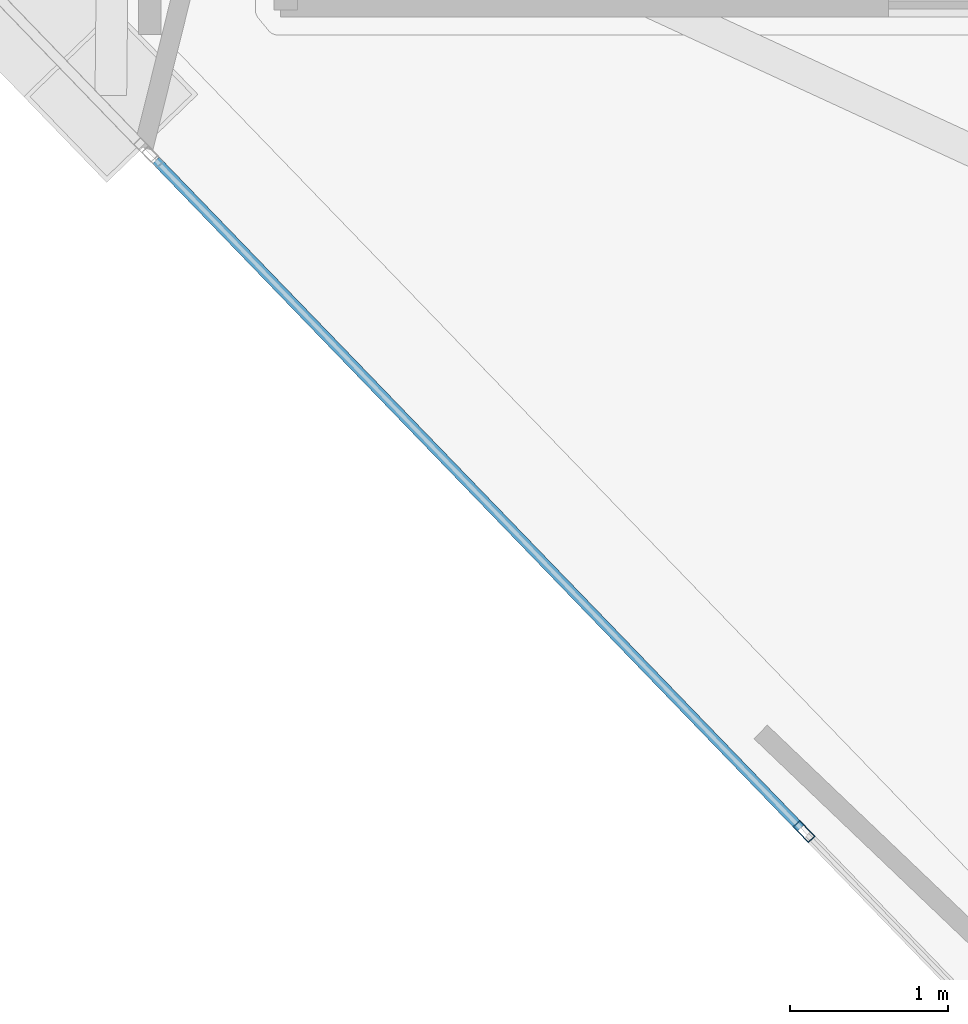
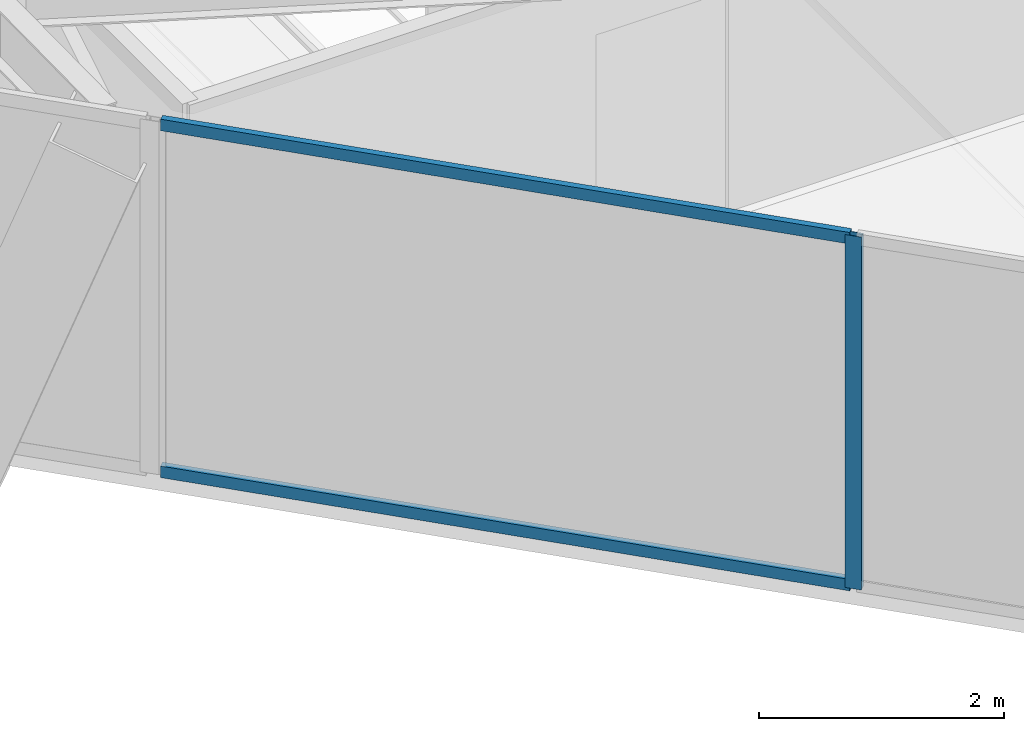
# One storey, part 2 of 18: 3 members, 1 element without a shape of its own.
"""IFC4 building model written with IfcOpenShell, lengths in metres."""

from ifc_helpers import new_model, si_unit, direction, frame, origin, origin_2d, place, context, subcontext, project, spatial, hollow_rectangle, extrude, material, layer, layer_set, material_profile, profile_set, type_object, element, aggregate, save


model = new_model("IFC4")

# Units and contexts
model_context = context("Model", 3, precision=1e-05, world=origin(), true_north=direction((0.0, 1.0)))
body_context = subcontext(model_context, "Body", "Model", "MODEL_VIEW")
ifc_project = project(units=[si_unit("LENGTHUNIT", "METRE"), si_unit("AREAUNIT", "SQUARE_METRE"), si_unit("VOLUMEUNIT", "CUBIC_METRE"), si_unit("PLANEANGLEUNIT", "RADIAN"), si_unit("MASSUNIT", "GRAM", prefix="KILO")], contexts=[model_context])

# Site, building, storey
site_placement = place(None, origin())
site = spatial("IfcSite", under=ifc_project, at=site_placement, CompositionType="ELEMENT")
building_placement = place(site_placement, origin())
building = spatial("IfcBuilding", under=site, at=building_placement, Name="Qianvela Tower", CompositionType="ELEMENT")
storey_placement = place(building_placement, frame((0.0, 0.0, 337.0)))
storey = spatial("IfcBuildingStorey", under=building, at=storey_placement, Name="L87", CompositionType="ELEMENT", Elevation=337.0)

# Curtain wall, members
ifc_material_1 = material(Name="Anodised Architectural Aluminium and Low-E Glass", Category="aluminium")
ifc_layer = layer(ifc_material_1, 0.14990234375)
ifc_layer_set = layer_set([ifc_layer], Name="Anodised Architectural Aluminium and Low-E Glass")
curtain_wall_type = type_object("IfcCurtainWallType", Name="CW-COLIV-Z78", PredefinedType="USERDEFINED", material=ifc_layer_set)
curtain_wall_placement = place(storey_placement, origin())
curtain_wall = element("IfcCurtainWall", 1, at=curtain_wall_placement, inside=storey, type_object=curtain_wall_type, Name="L87 CW-COLIV-Z78 Curtain Wall 04C", ObjectType="CURTAIN_WALL_SYSTEM", PredefinedType="USERDEFINED")
ifc_material_2 = material(Name="Anodised Architectural Aluminium 6063-T6", Category="aluminium")
ifc_material_profile_1 = material_profile(ifc_material_2, hollow_rectangle(XDim=0.06005859375, YDim=0.139892578125, WallThickness=0.00439453125, at=origin_2d()), Name="ALU-MULL-60x140")
ifc_profile_set_1 = profile_set([ifc_material_profile_1], Name="Anodised Architectural Aluminium 6063-T6")
member_type_1 = type_object("IfcMemberType", Name="CW-COLIV-Z78-MULL", PredefinedType="MULLION", material=ifc_profile_set_1)
member_1_placement = place(storey_placement, frame((33.502197265625, 10.865234375, 0.0), z_axis=(0.0, 0.0, 1.0), x_axis=(0.719340616701, 0.69465752509, 0.0)))
member_1 = element("IfcMember", 2, at=member_1_placement, type_object=member_type_1, Name="CW-6 mullion 2", PredefinedType="MULLION", context=body_context, shape_type="SweptSolid", body=[
    extrude(hollow_rectangle(XDim=0.06005859375, YDim=0.139892578125, WallThickness=0.00439453125, at=origin_2d()), origin(), (0.0, 0.0, 1.0), 3.52001953125),
])
ifc_material_3 = material(Name="Anodised Architectural Aluminium 6063-T6", Category="aluminium")
ifc_material_profile_2 = material_profile(ifc_material_3, hollow_rectangle(XDim=0.06005859375, YDim=0.114990234375, WallThickness=0.00390625, at=origin_2d()), Name="ALU-TRAN-60x115")
ifc_profile_set_2 = profile_set([ifc_material_profile_2], Name="Anodised Architectural Aluminium 6063-T6")
member_type_2 = type_object("IfcMemberType", Name="CW-COLIV-Z78-TRAN", PredefinedType="USERDEFINED", material=ifc_profile_set_2)
member_2_placement = place(storey_placement, frame((29.41259765625, 15.100341796875, 0.030029296875), z_axis=(0.694640629705, -0.719356931962, 0.0), x_axis=(0.719356931962, 0.694640629705, 0.0)))
member_2 = element("IfcMember", 3, at=member_2_placement, type_object=member_type_2, Name="CW-6 transom 1.1", ObjectType="TRANSOM", PredefinedType="USERDEFINED", context=body_context, shape_type="SweptSolid", body=[
    extrude(hollow_rectangle(XDim=0.06005859375, YDim=0.114990234375, WallThickness=0.00390625, at=origin_2d()), origin(), (0.0, 0.0, 1.0), 5.857421875),
])
member_3_placement = place(storey_placement, frame((29.41259765625, 15.100341796875, 3.489990234375), z_axis=(0.694640629705, -0.719356931962, 0.0), x_axis=(0.719356931962, 0.694640629705, 0.0)))
member_3 = element("IfcMember", 4, at=member_3_placement, type_object=member_type_2, Name="CW-6 transom 1.2", ObjectType="TRANSOM", PredefinedType="USERDEFINED", context=body_context, shape_type="SweptSolid", body=[
    extrude(hollow_rectangle(XDim=0.06005859375, YDim=0.114990234375, WallThickness=0.00390625, at=origin_2d()), origin(), (0.0, 0.0, 1.0), 5.857421875),
])
aggregate(curtain_wall, [member_1, member_2, member_3])

save(model, "model.ifc")
